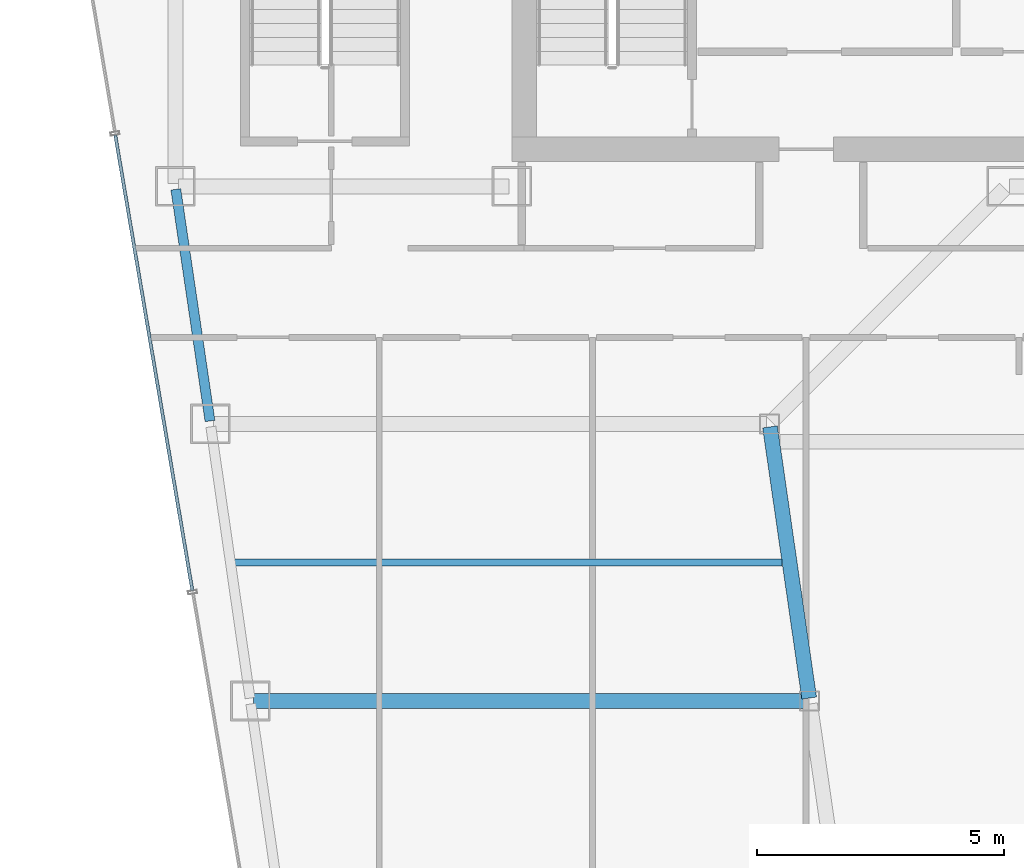
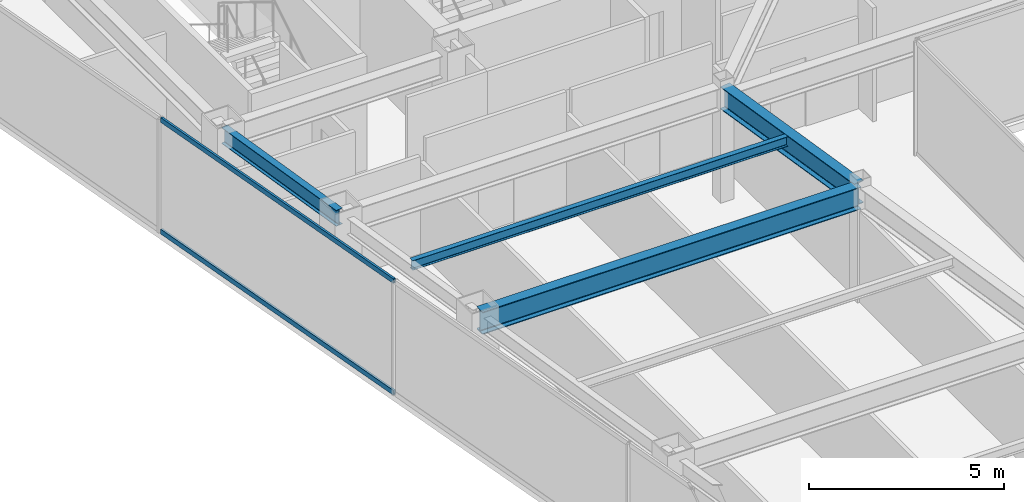
# One storey, part 10 of 35: 4 beams, 2 members, 1 element without a shape of its own.
"""IFC4 building model written with IfcOpenShell, lengths in metres."""

from ifc_helpers import new_model, si_unit, direction, frame, origin, origin_2d, place, context, subcontext, project, spatial, hollow_rectangle, i_section, extrude, material, material_profile, profile_set, type_object, element, aggregate, save


model = new_model("IFC4")

# Units and contexts
model_context = context("Model", 3, precision=1e-05, world=origin(), true_north=direction((0.0, 1.0)))
body_context = subcontext(model_context, "Body", "Model", "MODEL_VIEW")
ifc_project = project(units=[si_unit("LENGTHUNIT", "METRE"), si_unit("AREAUNIT", "SQUARE_METRE"), si_unit("VOLUMEUNIT", "CUBIC_METRE"), si_unit("PLANEANGLEUNIT", "RADIAN"), si_unit("MASSUNIT", "GRAM", prefix="KILO")], contexts=[model_context])

# Site, building, storey
site_placement = place(None, origin())
site = spatial("IfcSite", under=ifc_project, at=site_placement, CompositionType="ELEMENT")
building_placement = place(site_placement, origin())
building = spatial("IfcBuilding", under=site, at=building_placement, Name="Saevonmaru Cultural Tower", CompositionType="ELEMENT")
storey_placement = place(building_placement, frame((0.0, 0.0, 190.39990234375)))
storey = spatial("IfcBuildingStorey", under=building, at=storey_placement, Name="L43", CompositionType="ELEMENT", Elevation=190.39990234375)

# Beams
ifc_material_1 = material(Name="Steel SM355", Category="steel")
ifc_material_profile_1 = material_profile(ifc_material_1, i_section(OverallWidth=0.300048828125, OverallDepth=0.699951171875, WebThickness=0.012939453125, FlangeThickness=0.02392578125, FilletRadius=0.02587890625, at=origin_2d()), Name="H-700x300x13x24")
ifc_profile_set_1 = profile_set([ifc_material_profile_1], Name="Steel SM355")
beam_type_1 = type_object("IfcBeamType", Name="BM-G-H700", PredefinedType="BEAM", material=ifc_profile_set_1)
beam_1_placement = place(storey_placement, frame((19.6083984375, 32.059326171875, 3.2001953125), z_axis=(-0.142964121327, 0.989727871697, 0.0), x_axis=(-0.989727871697, -0.142964121327, 0.0)))
element("IfcBeam", 1, at=beam_1_placement, inside=storey, type_object=beam_type_1, Name="L43 West Atrium Girder 3", PredefinedType="BEAM", context=body_context, shape_type="SweptSolid", body=[
    extrude(i_section(OverallWidth=0.300048828125, OverallDepth=0.699951171875, WebThickness=0.012939453125, FlangeThickness=0.02392578125, FilletRadius=0.02587890625, at=origin_2d()), origin(), (0.0, 0.0, 1.0), 5.5380859375),
])
beam_2_placement = place(storey_placement, frame((8.376953125, 32.0, 3.2001953125), z_axis=(1.0, 0.0, 0.0), x_axis=(0.0, 1.0, 0.0)))
element("IfcBeam", 2, at=beam_2_placement, inside=storey, type_object=beam_type_1, Name="L43 West Wing Transverse Girder 3", PredefinedType="BEAM", context=body_context, shape_type="SweptSolid", body=[
    extrude(i_section(OverallWidth=0.300048828125, OverallDepth=0.699951171875, WebThickness=0.012939453125, FlangeThickness=0.02392578125, FilletRadius=0.02587890625, at=origin_2d()), origin(), (0.0, 0.0, 1.0), 11.179931640625),
])
ifc_material_profile_2 = material_profile(ifc_material_1, i_section(OverallWidth=0.14990234375, OverallDepth=0.300048828125, WebThickness=0.006591796875, FlangeThickness=0.009033203125, FilletRadius=0.012939453125, at=origin_2d()), Name="H-300x150x6.5x9")
ifc_profile_set_2 = profile_set([ifc_material_profile_2], Name="Steel SM355")
beam_type_2 = type_object("IfcBeamType", Name="BM-J-H300", PredefinedType="JOIST", material=ifc_profile_set_2)
beam_3_placement = place(storey_placement, frame((7.972412109375, 34.800048828125, 3.400146484375), z_axis=(1.0, 0.0, 0.0), x_axis=(0.0, 1.0, 0.0)))
element("IfcBeam", 3, at=beam_3_placement, inside=storey, type_object=beam_type_2, Name="L43 West Wing Floor Joist 3", PredefinedType="JOIST", context=body_context, shape_type="SweptSolid", body=[
    extrude(i_section(OverallWidth=0.14990234375, OverallDepth=0.300048828125, WebThickness=0.006591796875, FlangeThickness=0.009033203125, FilletRadius=0.012939453125, at=origin_2d()), origin(), (0.0, 0.0, 1.0), 11.08203125),
])
ifc_material_profile_3 = material_profile(ifc_material_1, i_section(OverallWidth=0.199951171875, OverallDepth=0.5, WebThickness=0.010009765625, FlangeThickness=0.01611328125, FilletRadius=0.02001953125, at=origin_2d()), Name="H-500x200x10x16")
ifc_profile_set_3 = profile_set([ifc_material_profile_3], Name="Steel SM355")
beam_type_3 = type_object("IfcBeamType", Name="BM-SP-H500", PredefinedType="SPANDREL", material=ifc_profile_set_3)
beam_4_placement = place(storey_placement, frame((7.499267578125, 37.659423828125, 3.300048828125), z_axis=(-0.145912860028, 0.989297446312, 0.0), x_axis=(-0.989297446312, -0.145912860028, 0.0)))
element("IfcBeam", 4, at=beam_4_placement, inside=storey, type_object=beam_type_3, Name="L43 West Splayed Spandrel 4", PredefinedType="SPANDREL", context=body_context, shape_type="SweptSolid", body=[
    extrude(i_section(OverallWidth=0.199951171875, OverallDepth=0.5, WebThickness=0.010009765625, FlangeThickness=0.01611328125, FilletRadius=0.02001953125, at=origin_2d()), origin(), (0.0, 0.0, 1.0), 4.731689453125),
])

# Curtain wall, members
ifc_material_2 = material(Name="Satin Bronze Anodised Aluminium", Category="aluminium")
curtain_wall_type = type_object("IfcCurtainWallType", Name="CW-TYP-B", PredefinedType="NOTDEFINED", material=ifc_material_2)
curtain_wall_placement = place(storey_placement, origin())
curtain_wall = element("IfcCurtainWall", 5, at=curtain_wall_placement, inside=storey, type_object=curtain_wall_type, Name="L43 Unitised Curtain Wall E12", PredefinedType="NOTDEFINED")
ifc_material_profile_4 = material_profile(ifc_material_2, hollow_rectangle(XDim=0.06494140625, YDim=0.14990234375, WallThickness=0.00390625, at=origin_2d()), Name="ALU-TRAN-150x65x4")
ifc_profile_set_4 = profile_set([ifc_material_profile_4], Name="Satin Bronze Anodised Aluminium")
member_type = type_object("IfcMemberType", Name="TR-CW-150x65", PredefinedType="USERDEFINED", material=ifc_profile_set_4)
member_1_placement = place(storey_placement, frame((5.5849609375, 43.4384765625, 0.03271484375), z_axis=(0.166916960754, -0.985970957084, 0.0), x_axis=(0.985970957084, 0.166916960754, 0.0)))
member_1 = element("IfcMember", 6, at=member_1_placement, type_object=member_type, Name="CW-TW-L43-E12 transom 2.1", ObjectType="TRANSOM", PredefinedType="USERDEFINED", context=body_context, shape_type="SweptSolid", body=[
    extrude(hollow_rectangle(XDim=0.06494140625, YDim=0.14990234375, WallThickness=0.00390625, at=origin_2d()), origin(), (0.0, 0.0, 1.0), 9.337646484375),
])
member_2_placement = place(storey_placement, frame((5.5849609375, 43.4384765625, 3.517578125), z_axis=(0.166916960754, -0.985970957084, 0.0), x_axis=(0.985970957084, 0.166916960754, 0.0)))
member_2 = element("IfcMember", 7, at=member_2_placement, type_object=member_type, Name="CW-TW-L43-E12 transom 2.2", ObjectType="TRANSOM", PredefinedType="USERDEFINED", context=body_context, shape_type="SweptSolid", body=[
    extrude(hollow_rectangle(XDim=0.06494140625, YDim=0.14990234375, WallThickness=0.00390625, at=origin_2d()), origin(), (0.0, 0.0, 1.0), 9.337646484375),
])
aggregate(curtain_wall, [member_1, member_2])

save(model, "model.ifc")
